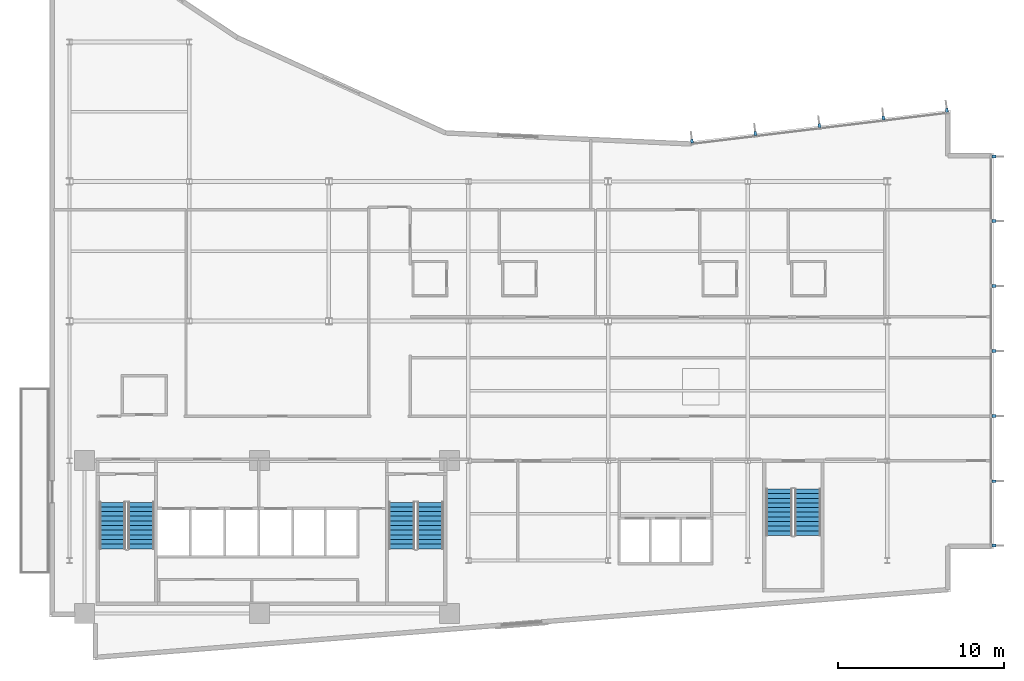
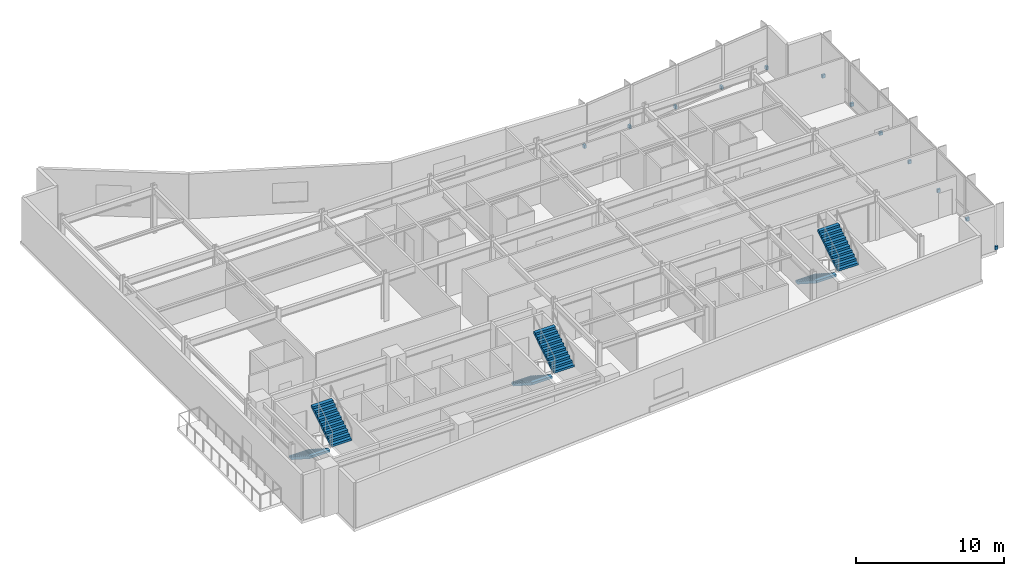
# One storey, part 13 of 18: 12 discrete accessories, 6 stair flights, 3 elements without a shape of their own.
"""IFC4 building model written with IfcOpenShell, lengths in metres."""

import ifcopenshell
import ifcopenshell.guid

model = None  # the IFC model being written
_history = None  # IfcOwnerHistory: only IFC2X3 demands one
_inside = {}  # id of a spatial element -> (the spatial element, [elements in it])
_under = {}  # id of a project, library or spatial element -> (it, [spatial elements below it])
_declared = {}  # id of a project -> (the project, [libraries it declares])
_typed = {}  # id of a type object -> (the type object, [elements of that type])
_made_of = {}  # id of a material, layer set ... -> (it, [elements and type objects made of it])


def new_model(schema):
    """Start an empty IFC model of exactly this schema.

    Asked for "IFC4X3", IfcOpenShell would pick the latest addendum, in which some entities
    have other attributes; the version numbers below select the first issue.
    IFC2X3 requires an IfcOwnerHistory on every rooted entity: one is made here for all.
    """
    global model, _history
    if schema == "IFC4X3":
        model = ifcopenshell.file(schema_version=(4, 3, 0, 0))
    else:
        model = ifcopenshell.file(schema=schema)
    _inside.clear()
    _under.clear()
    _declared.clear()
    _typed.clear()
    _made_of.clear()
    _history = None
    if model.schema == "IFC2X3":
        org = make("IfcOrganization", Name="unknown")
        user = make(
            "IfcPersonAndOrganization",
            ThePerson=make("IfcPerson", FamilyName="unknown"),
            TheOrganization=org,
        )
        app = make(
            "IfcApplication",
            ApplicationDeveloper=org,
            Version="unknown",
            ApplicationFullName="unknown",
            ApplicationIdentifier="unknown",
        )
        _history = make(
            "IfcOwnerHistory",
            OwningUser=user,
            OwningApplication=app,
            ChangeAction="ADDED",
            CreationDate=0,
        )
    return model


def make(cls, **values):
    """One entity of the class cls with the attributes given. An attribute that is None is left unset."""
    return model.create_entity(
        cls, **{name: value for name, value in values.items() if value is not None}
    )


def rooted(cls, **values):
    """An entity with a GlobalId (a new one), such as an element, a storey or a relation."""
    return make(cls, GlobalId=ifcopenshell.guid.new(), OwnerHistory=_history, **values)


def si_unit(unit_type, name, prefix=None):
    """IfcSIUnit, for example si_unit("LENGTHUNIT", "METRE", prefix="MILLI")."""
    return make("IfcSIUnit", UnitType=unit_type, Prefix=prefix, Name=name)


def assignment(units):
    """IfcUnitAssignment: the units of a project."""
    return None if units is None else make("IfcUnitAssignment", Units=units)


def point(xyz):
    """IfcCartesianPoint."""
    return None if xyz is None else make("IfcCartesianPoint", Coordinates=xyz)


def direction(xyz):
    """IfcDirection."""
    return None if xyz is None else make("IfcDirection", DirectionRatios=xyz)


def frame(location, z_axis=None, x_axis=None):
    """IfcAxis2Placement3D, a coordinate frame: its origin and axes. An axis left out is left unset."""
    return make(
        "IfcAxis2Placement3D",
        Location=point(location),
        Axis=direction(z_axis),
        RefDirection=direction(x_axis),
    )


def frame_2d(location, x_axis=None):
    """IfcAxis2Placement2D, a coordinate frame in the plane: its origin and x axis."""
    return make(
        "IfcAxis2Placement2D", Location=point(location), RefDirection=direction(x_axis)
    )


def origin():
    """The frame at (0, 0, 0) with its axes left unset."""
    return frame((0.0, 0.0, 0.0))


def origin_2d():
    """The frame at (0, 0) in the plane with its x axis left unset."""
    return frame_2d((0.0, 0.0))


def place(relative_to, where):
    """IfcLocalPlacement: puts the frame where relative to a parent placement (None: the world)."""
    return make(
        "IfcLocalPlacement", PlacementRelTo=relative_to, RelativePlacement=where
    )


def context(
    kind, dimensions, precision=None, world=None, true_north=None, identifier=None
):
    """IfcGeometricRepresentationContext, for example the 3D "Model" context."""
    return make(
        "IfcGeometricRepresentationContext",
        ContextIdentifier=identifier,
        ContextType=kind,
        CoordinateSpaceDimension=dimensions,
        Precision=precision,
        WorldCoordinateSystem=world,
        TrueNorth=true_north,
    )


def subcontext(parent, identifier, kind, view, scale=None):
    """IfcGeometricRepresentationSubContext, for example "Body" below "Model"."""
    return make(
        "IfcGeometricRepresentationSubContext",
        ContextIdentifier=identifier,
        ContextType=kind,
        ParentContext=parent,
        TargetScale=scale,
        TargetView=view,
    )


def project(units=None, contexts=None):
    """IfcProject with its units and contexts."""
    return rooted(
        "IfcProject",
        Name="project",
        RepresentationContexts=contexts,
        UnitsInContext=assignment(units),
    )


def spatial(cls, under=None, at=None, **own):
    """A site, building, storey or space (cls), placed at a placement, below another one or the project."""
    s = rooted(cls, ObjectPlacement=at, **own)
    if under is not None:
        _under.setdefault(under.id(), (under, []))[1].append(s)
    return s


def polyline(points):
    """IfcPolyline through the points."""
    return make("IfcPolyline", Points=[point(p) for p in points])


def profile(cls, at=None, kind="AREA", **sizes):
    """A parametric profile (cls). Its sizes go by their IFC names, for example OverallWidth=200.0."""
    return make(cls, ProfileType=kind, Position=at, **sizes)


def rectangle(**sizes):
    """IfcRectangleProfileDef."""
    return profile("IfcRectangleProfileDef", **sizes)


def outline(outer, holes=None, kind="AREA"):
    """IfcArbitraryClosedProfileDef: a profile drawn as a closed curve; with holes, ...WithVoids."""
    if holes is None:
        return make("IfcArbitraryClosedProfileDef", ProfileType=kind, OuterCurve=outer)
    return make(
        "IfcArbitraryProfileDefWithVoids",
        ProfileType=kind,
        OuterCurve=outer,
        InnerCurves=holes,
    )


def extrude(swept, where, along, depth):
    """IfcExtrudedAreaSolid: the profile swept, set in the frame where, extruded along a direction by depth."""
    return make(
        "IfcExtrudedAreaSolid",
        SweptArea=swept,
        Position=where,
        ExtrudedDirection=direction(along),
        Depth=depth,
    )


def shape(context_of_items, identifier, shape_type, items):
    """IfcShapeRepresentation: the items that make up one representation, for example the "Body"."""
    return make(
        "IfcShapeRepresentation",
        ContextOfItems=context_of_items,
        RepresentationIdentifier=identifier,
        RepresentationType=shape_type,
        Items=items,
    )


def material(Name=None, Category=None):
    """IfcMaterial."""
    return make("IfcMaterial", Name=Name, Category=Category)


def layer(
    of_material, thickness, ventilated=None, Name=None, Category=None, Priority=None
):
    """IfcMaterialLayer: one layer of a wall or slab, of a material (None: an air gap)."""
    return make(
        "IfcMaterialLayer",
        Material=of_material,
        LayerThickness=thickness,
        IsVentilated=ventilated,
        Name=Name,
        Category=Category,
        Priority=Priority,
    )


def layer_set(layers, Name=None):
    """IfcMaterialLayerSet."""
    return make("IfcMaterialLayerSet", MaterialLayers=layers, LayerSetName=Name)


def made_of(thing, what):
    """Note that an element or type object is made of a material, layer set ...; save() writes the relation."""
    if what is not None:
        _made_of.setdefault(what.id(), (what, []))[1].append(thing)
    return thing


def type_object(cls, material=None, **own):
    """A type object (cls), such as IfcWallType, which elements share."""
    return made_of(rooted(cls, **own), material)


def element(
    cls,
    number,
    at=None,
    inside=None,
    cuts=None,
    type_object=None,
    material=None,
    context=None,
    identifier="Body",
    shape_type=None,
    held_by="IfcProductDefinitionShape",
    body=None,
    shapes=None,
    **own,
):
    """One element of the class cls, such as IfcWall. Its Tag is "e" and its number.

    at: its placement. inside: the storey or other place that contains it. cuts: it is an
    opening in that element (IfcRelVoidsElement). A single representation is given by context,
    identifier, shape_type and body (its items); several are given by shapes. held_by: the class
    of the entity that holds the representations. save() writes the other relations.
    """
    e = rooted(cls, Tag="e%d" % number, ObjectPlacement=at, **own)
    if body is not None:
        shapes = [shape(context, identifier, shape_type, body)]
    if shapes is not None:
        e.Representation = make(held_by, Representations=shapes)
    if inside is not None:
        _inside.setdefault(inside.id(), (inside, []))[1].append(e)
    if cuts is not None:
        rooted(
            "IfcRelVoidsElement", RelatingBuildingElement=cuts, RelatedOpeningElement=e
        )
    if type_object is not None:
        _typed.setdefault(type_object.id(), (type_object, []))[1].append(e)
    return made_of(e, material)


def aggregate(whole, parts):
    """IfcRelAggregates: a whole, such as a stair, and the parts it consists of."""
    return rooted("IfcRelAggregates", RelatingObject=whole, RelatedObjects=parts)


def save(model, path):
    """Write the relations noted so far, then the file.

    IfcRelAggregates (storeys below a building ...), IfcRelContainedInSpatialStructure (elements
    in a storey), IfcRelDefinesByType, IfcRelAssociatesMaterial and IfcRelDeclares: one each for
    every whole, place, type object, material and project.
    """
    for whole, parts in _under.values():
        aggregate(whole, parts)
    for where, things in _inside.values():
        rooted(
            "IfcRelContainedInSpatialStructure",
            RelatedElements=things,
            RelatingStructure=where,
        )
    for kind, things in _typed.values():
        rooted("IfcRelDefinesByType", RelatedObjects=things, RelatingType=kind)
    for what, things in _made_of.values():
        rooted("IfcRelAssociatesMaterial", RelatedObjects=things, RelatingMaterial=what)
    for by, libraries in _declared.values():
        rooted("IfcRelDeclares", RelatingContext=by, RelatedDefinitions=libraries)
    model.write(path)


model = new_model("IFC4")

# Units and contexts
model_context = context("Model", 3, precision=1e-05, world=origin(), true_north=direction((0.0, 1.0)))
body_context = subcontext(model_context, "Body", "Model", "MODEL_VIEW")
ifc_project = project(units=[si_unit("LENGTHUNIT", "METRE"), si_unit("AREAUNIT", "SQUARE_METRE"), si_unit("VOLUMEUNIT", "CUBIC_METRE"), si_unit("PLANEANGLEUNIT", "RADIAN"), si_unit("MASSUNIT", "GRAM", prefix="KILO")], contexts=[model_context])

# Site, building, storey
site_placement = place(None, origin())
site = spatial("IfcSite", under=ifc_project, at=site_placement, CompositionType="ELEMENT")
building_placement = place(site_placement, origin())
building = spatial("IfcBuilding", under=site, at=building_placement, Name="Varnakote Quay Hospital", CompositionType="ELEMENT")
storey_placement = place(building_placement, frame((0.0, 0.0, 138.89990234375)))
storey = spatial("IfcBuildingStorey", under=building, at=storey_placement, Name="L34", CompositionType="ELEMENT", Elevation=138.89990234375)

# Stair, stair flights
ifc_material_1 = material(Name="Concrete N40 (f'c 40 MPa)", Category="concrete")
stair_type = type_object("IfcStairType", Name="STR-CORE-1580", PredefinedType="HALF_TURN_STAIR", material=ifc_material_1)
stair_1_placement = place(storey_placement, origin())
stair_1 = element("IfcStair", 1, at=stair_1_placement, inside=storey, type_object=stair_type, Name="L34 Fire-Isolated Exit Stair ST-01", PredefinedType="HALF_TURN_STAIR")
ifc_material_2 = material(Name="Concrete N40 (f'c 40 MPa)", Category="concrete")
ifc_layer = layer(ifc_material_2, 0.159912109375)
ifc_layer_set = layer_set([ifc_layer], Name="Concrete N40 (f'c 40 MPa)")
stair_flight_type = type_object("IfcStairFlightType", Name="FLT-CORE-1580", PredefinedType="STRAIGHT", material=ifc_layer_set)
stair_flight_1_placement = place(storey_placement, frame((3.7900390625, 9.5, 0.0), z_axis=(0.0, 0.0, 1.0), x_axis=(0.0, -1.0, 0.0)))
stair_flight_1 = element("IfcStairFlight", 2, at=stair_flight_1_placement, type_object=stair_flight_type, Name="ST-01 flight 1", NumberOfRisers=11, NumberOfTreads=10, PredefinedType="STRAIGHT", RiserHeight=0.179545455, TreadLength=0.28, context=body_context, shape_type="SweptSolid", body=[
    extrude(outline(polyline([(0.0, 0.0), (0.0, 0.179443359375), (0.280029296875, 0.179443359375), (0.280029296875, 0.359130859375), (0.56005859375, 0.359130859375), (0.56005859375, 0.53857421875), (0.840087890625, 0.53857421875), (0.840087890625, 0.71826171875), (1.1201171875, 0.71826171875), (1.1201171875, 0.897705078125), (1.39990234375, 0.897705078125), (1.39990234375, 1.077392578125), (1.679931640625, 1.077392578125), (1.679931640625, 1.2568359375), (1.9599609375, 1.2568359375), (1.9599609375, 1.436279296875), (2.239990234375, 1.436279296875), (2.239990234375, 1.615966796875), (2.52001953125, 1.615966796875), (2.52001953125, 1.79541015625), (2.800048828125, 1.79541015625), (2.800048828125, 1.97509765625), (2.800048828125, 1.60546875), (0.296142578125, 0.0), (0.0, 0.0)])), frame((0.0, 0.7900390625, 0.0), z_axis=(0.0, -1.0, 0.0), x_axis=(1.0, 0.0, 0.0)), (0.0, 0.0, 1.0), 1.580078125),
])
stair_flight_2_placement = place(storey_placement, frame((5.510009765625, 6.699951171875, 1.97509765625), z_axis=(0.0, 0.0, 1.0), x_axis=(0.0, 1.0, 0.0)))
stair_flight_2 = element("IfcStairFlight", 3, at=stair_flight_2_placement, type_object=stair_flight_type, Name="ST-01 flight 2", NumberOfRisers=11, NumberOfTreads=10, PredefinedType="STRAIGHT", RiserHeight=0.179545455, TreadLength=0.28, context=body_context, shape_type="SweptSolid", body=[
    extrude(outline(polyline([(0.0, 0.0), (0.0, 0.179443359375), (0.280029296875, 0.179443359375), (0.280029296875, 0.359130859375), (0.56005859375, 0.359130859375), (0.56005859375, 0.53857421875), (0.840087890625, 0.53857421875), (0.840087890625, 0.71826171875), (1.1201171875, 0.71826171875), (1.1201171875, 0.897705078125), (1.39990234375, 0.897705078125), (1.39990234375, 1.077392578125), (1.679931640625, 1.077392578125), (1.679931640625, 1.2568359375), (1.9599609375, 1.2568359375), (1.9599609375, 1.436279296875), (2.239990234375, 1.436279296875), (2.239990234375, 1.615966796875), (2.52001953125, 1.615966796875), (2.52001953125, 1.79541015625), (2.800048828125, 1.79541015625), (2.800048828125, 1.97509765625), (2.800048828125, 1.60546875), (0.296142578125, 0.0), (0.0, 0.0)])), frame((0.0, 0.7900390625, 0.0), z_axis=(0.0, -1.0, 0.0), x_axis=(1.0, 0.0, 0.0)), (0.0, 0.0, 1.0), 1.580078125),
])
aggregate(stair_1, [stair_flight_1, stair_flight_2])

stair_2_placement = place(storey_placement, origin())
stair_2 = element("IfcStair", 4, at=stair_2_placement, inside=storey, type_object=stair_type, Name="L34 Fire-Isolated Exit Stair ST-02", PredefinedType="HALF_TURN_STAIR")
stair_flight_3_placement = place(storey_placement, frame((21.18994140625, 9.5, 0.0), z_axis=(0.0, 0.0, 1.0), x_axis=(0.0, -1.0, 0.0)))
stair_flight_3 = element("IfcStairFlight", 5, at=stair_flight_3_placement, type_object=stair_flight_type, Name="ST-02 flight 1", NumberOfRisers=11, NumberOfTreads=10, PredefinedType="STRAIGHT", RiserHeight=0.179545455, TreadLength=0.28, context=body_context, shape_type="SweptSolid", body=[
    extrude(outline(polyline([(0.0, 0.0), (0.0, 0.179443359375), (0.280029296875, 0.179443359375), (0.280029296875, 0.359130859375), (0.56005859375, 0.359130859375), (0.56005859375, 0.53857421875), (0.840087890625, 0.53857421875), (0.840087890625, 0.71826171875), (1.1201171875, 0.71826171875), (1.1201171875, 0.897705078125), (1.39990234375, 0.897705078125), (1.39990234375, 1.077392578125), (1.679931640625, 1.077392578125), (1.679931640625, 1.2568359375), (1.9599609375, 1.2568359375), (1.9599609375, 1.436279296875), (2.239990234375, 1.436279296875), (2.239990234375, 1.615966796875), (2.52001953125, 1.615966796875), (2.52001953125, 1.79541015625), (2.800048828125, 1.79541015625), (2.800048828125, 1.97509765625), (2.800048828125, 1.60546875), (0.296142578125, 0.0), (0.0, 0.0)])), frame((0.0, 0.7900390625, 0.0), z_axis=(0.0, -1.0, 0.0), x_axis=(1.0, 0.0, 0.0)), (0.0, 0.0, 1.0), 1.580078125),
])
stair_flight_4_placement = place(storey_placement, frame((22.909912109375, 6.699951171875, 1.97509765625), z_axis=(0.0, 0.0, 1.0), x_axis=(0.0, 1.0, 0.0)))
stair_flight_4 = element("IfcStairFlight", 6, at=stair_flight_4_placement, type_object=stair_flight_type, Name="ST-02 flight 2", NumberOfRisers=11, NumberOfTreads=10, PredefinedType="STRAIGHT", RiserHeight=0.179545455, TreadLength=0.28, context=body_context, shape_type="SweptSolid", body=[
    extrude(outline(polyline([(0.0, 0.0), (0.0, 0.179443359375), (0.280029296875, 0.179443359375), (0.280029296875, 0.359130859375), (0.56005859375, 0.359130859375), (0.56005859375, 0.53857421875), (0.840087890625, 0.53857421875), (0.840087890625, 0.71826171875), (1.1201171875, 0.71826171875), (1.1201171875, 0.897705078125), (1.39990234375, 0.897705078125), (1.39990234375, 1.077392578125), (1.679931640625, 1.077392578125), (1.679931640625, 1.2568359375), (1.9599609375, 1.2568359375), (1.9599609375, 1.436279296875), (2.239990234375, 1.436279296875), (2.239990234375, 1.615966796875), (2.52001953125, 1.615966796875), (2.52001953125, 1.79541015625), (2.800048828125, 1.79541015625), (2.800048828125, 1.97509765625), (2.800048828125, 1.60546875), (0.296142578125, 0.0), (0.0, 0.0)])), frame((0.0, 0.7900390625, 0.0), z_axis=(0.0, -1.0, 0.0), x_axis=(1.0, 0.0, 0.0)), (0.0, 0.0, 1.0), 1.580078125),
])
aggregate(stair_2, [stair_flight_3, stair_flight_4])

stair_3_placement = place(storey_placement, origin())
stair_3 = element("IfcStair", 7, at=stair_3_placement, inside=storey, type_object=stair_type, Name="L34 Fire-Isolated Exit Stair ST-03", PredefinedType="HALF_TURN_STAIR")
stair_flight_5_placement = place(storey_placement, frame((43.889892578125, 10.300048828125, 0.0), z_axis=(0.0, 0.0, 1.0), x_axis=(0.0, -1.0, 0.0)))
stair_flight_5 = element("IfcStairFlight", 8, at=stair_flight_5_placement, type_object=stair_flight_type, Name="ST-03 flight 1", NumberOfRisers=11, NumberOfTreads=10, PredefinedType="STRAIGHT", RiserHeight=0.179545455, TreadLength=0.28, context=body_context, shape_type="SweptSolid", body=[
    extrude(outline(polyline([(0.0, 0.0), (0.0, 0.179443359375), (0.280029296875, 0.179443359375), (0.280029296875, 0.359130859375), (0.56005859375, 0.359130859375), (0.56005859375, 0.53857421875), (0.840087890625, 0.53857421875), (0.840087890625, 0.71826171875), (1.1201171875, 0.71826171875), (1.1201171875, 0.897705078125), (1.39990234375, 0.897705078125), (1.39990234375, 1.077392578125), (1.679931640625, 1.077392578125), (1.679931640625, 1.2568359375), (1.9599609375, 1.2568359375), (1.9599609375, 1.436279296875), (2.239990234375, 1.436279296875), (2.239990234375, 1.615966796875), (2.52001953125, 1.615966796875), (2.52001953125, 1.79541015625), (2.800048828125, 1.79541015625), (2.800048828125, 1.97509765625), (2.800048828125, 1.60546875), (0.296142578125, 0.0), (0.0, 0.0)])), frame((0.0, 0.7900390625, 0.0), z_axis=(0.0, -1.0, 0.0), x_axis=(1.0, 0.0, 0.0)), (0.0, 0.0, 1.0), 1.580078125),
])
stair_flight_6_placement = place(storey_placement, frame((45.610107421875, 7.5, 1.97509765625), z_axis=(0.0, 0.0, 1.0), x_axis=(0.0, 1.0, 0.0)))
stair_flight_6 = element("IfcStairFlight", 9, at=stair_flight_6_placement, type_object=stair_flight_type, Name="ST-03 flight 2", NumberOfRisers=11, NumberOfTreads=10, PredefinedType="STRAIGHT", RiserHeight=0.179545455, TreadLength=0.28, context=body_context, shape_type="SweptSolid", body=[
    extrude(outline(polyline([(0.0, 0.0), (0.0, 0.179443359375), (0.280029296875, 0.179443359375), (0.280029296875, 0.359130859375), (0.56005859375, 0.359130859375), (0.56005859375, 0.53857421875), (0.840087890625, 0.53857421875), (0.840087890625, 0.71826171875), (1.1201171875, 0.71826171875), (1.1201171875, 0.897705078125), (1.39990234375, 0.897705078125), (1.39990234375, 1.077392578125), (1.679931640625, 1.077392578125), (1.679931640625, 1.2568359375), (1.9599609375, 1.2568359375), (1.9599609375, 1.436279296875), (2.239990234375, 1.436279296875), (2.239990234375, 1.615966796875), (2.52001953125, 1.615966796875), (2.52001953125, 1.79541015625), (2.800048828125, 1.79541015625), (2.800048828125, 1.97509765625), (2.800048828125, 1.60546875), (0.296142578125, 0.0), (0.0, 0.0)])), frame((0.0, 0.7900390625, 0.0), z_axis=(0.0, -1.0, 0.0), x_axis=(1.0, 0.0, 0.0)), (0.0, 0.0, 1.0), 1.580078125),
])
aggregate(stair_3, [stair_flight_5, stair_flight_6])

# Discrete accessories
ifc_material_3 = material(Name="Anodised aluminium 6063-T6 Bronze", Category="aluminium")
discrete_accessory_type = type_object("IfcDiscreteAccessoryType", Name="ACC-FIN-BRACKET-180", PredefinedType="BRACKET", material=ifc_material_3)
for number, where, z_axis, x_axis, name in (
    (10, (56.81005859375, 6.8974609375, 0.0), (0.0, 0.0, 1.0), (0.0, 1.0, 0.0), "L34 Curtain Wall Fin Fixing Bracket"),
    (11, (56.81005859375, 10.773193359375, 0.0), (0.0, 0.0, 1.0), (0.0, 1.0, 0.0), "L34 Curtain Wall Fin Fixing Bracket"),
    (12, (56.81005859375, 14.686767578125, 0.0), (0.0, 0.0, 1.0), (0.0, 1.0, 0.0), "L34 Curtain Wall Fin Fixing Bracket"),
    (13, (56.81005859375, 18.60009765625, 0.0), (0.0, 0.0, 1.0), (0.0, 1.0, 0.0), "L34 Curtain Wall Fin Fixing Bracket"),
    (14, (56.81005859375, 22.51318359375, 0.0), (0.0, 0.0, 1.0), (0.0, 1.0, 0.0), "L34 Curtain Wall Fin Fixing Bracket"),
    (15, (56.81005859375, 26.4267578125, 0.0), (0.0, 0.0, 1.0), (0.0, 1.0, 0.0), "L34 Curtain Wall Fin Fixing Bracket"),
    (16, (56.81005859375, 30.302490234375, 0.0), (0.0, 0.0, 1.0), (0.0, 1.0, 0.0), "L34 Curtain Wall Fin Fixing Bracket"),
    (17, (53.982421875, 33.083740234375, 0.0), (0.0, 0.0, 1.0), (-0.992736358975, -0.120310105847, 0.0), "L34 Curtain Wall Fin Fixing Bracket"),
    (18, (50.1669921875, 32.62109375, 0.0), (0.0, 0.0, 1.0), (-0.992736358975, -0.120310105847, 0.0), "L34 Curtain Wall Fin Fixing Bracket"),
    (19, (46.314697265625, 32.154296875, 0.0), (0.0, 0.0, 1.0), (-0.992736358975, -0.120310105847, 0.0), "L34 Curtain Wall Fin Fixing Bracket"),
    (20, (42.462158203125, 31.687255859375, 0.0), (0.0, 0.0, 1.0), (-0.992736358975, -0.120310105847, 0.0), "L34 Curtain Wall Fin Fixing Bracket"),
    (21, (38.64697265625, 31.224853515625, 0.0), (0.0, 0.0, 1.0), (-0.992736358975, -0.120310105847, 0.0), "L34 Curtain Wall Fin Fixing Bracket"),
):
    element("IfcDiscreteAccessory", number, at=place(storey_placement, frame(where, z_axis=z_axis, x_axis=x_axis)), inside=storey, type_object=discrete_accessory_type, Name=name, PredefinedType="BRACKET", context=body_context, shape_type="SweptSolid", body=[
        extrude(rectangle(XDim=0.159912109375, YDim=0.239990234375, at=origin_2d()), origin(), (0.0, 0.0, 1.0), 0.280029296875),
    ])

save(model, "model.ifc")
